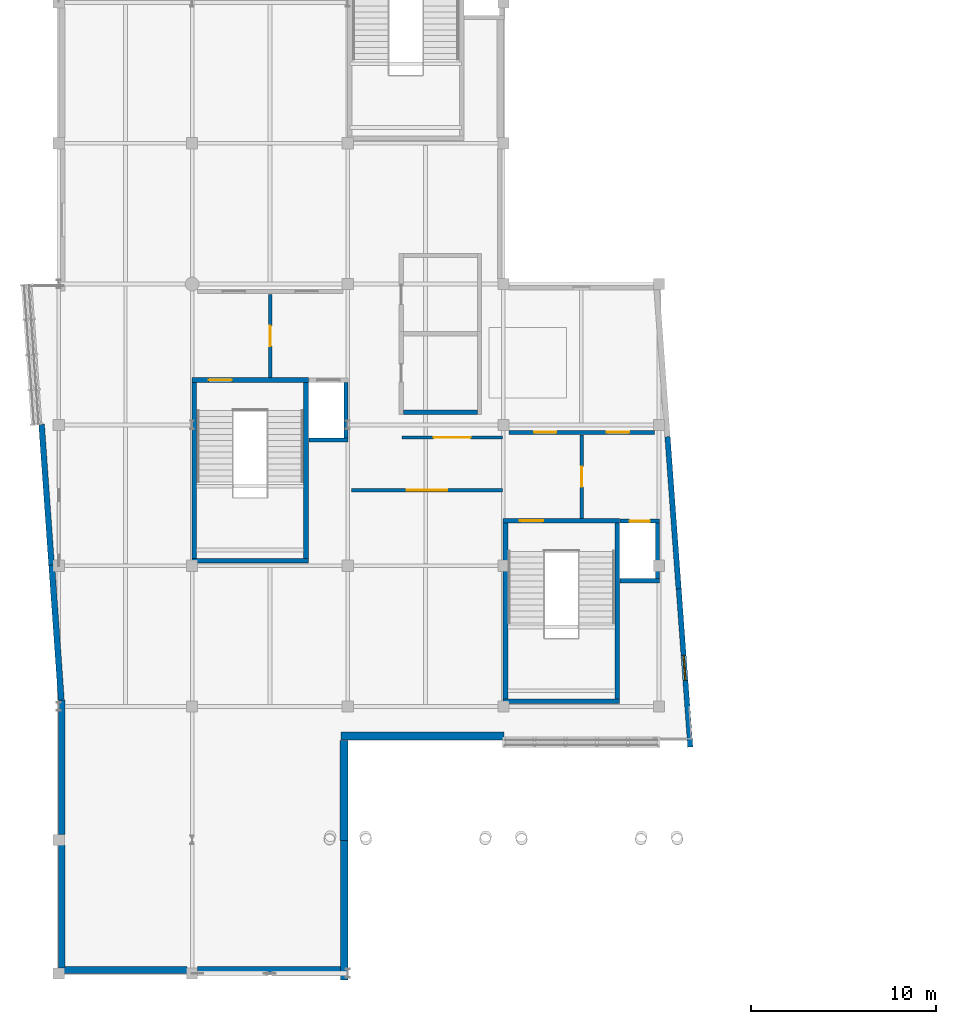
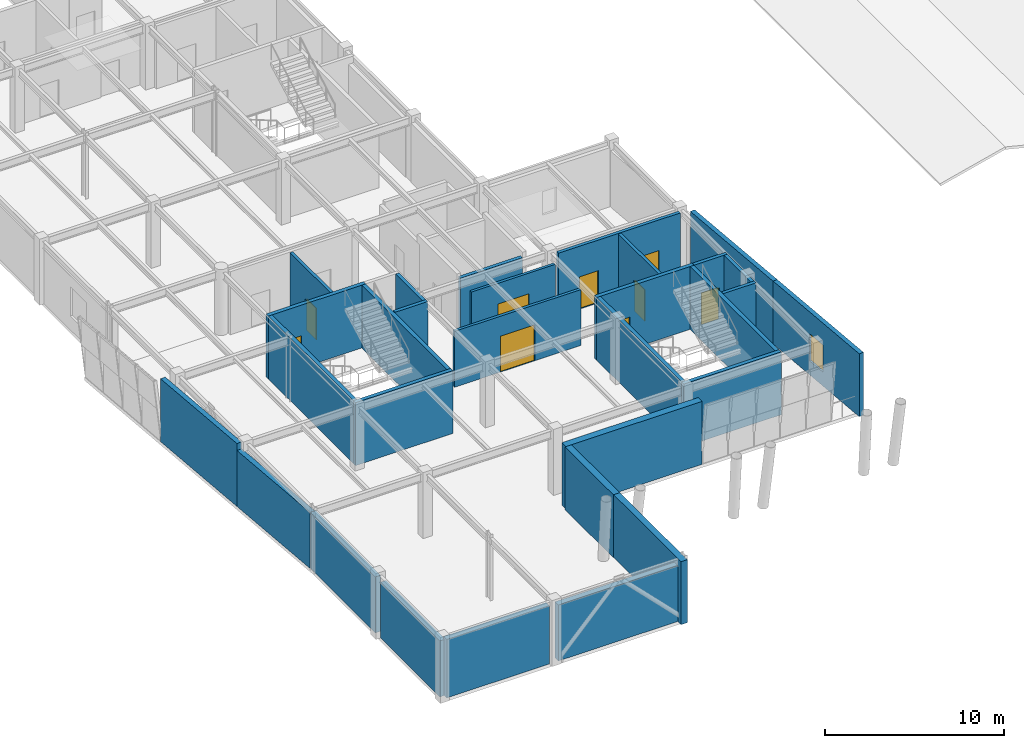
# One storey, part 18 of 28: 30 walls, 9 doors, 1 window, 10 openings.
"""IFC4 building model written with IfcOpenShell, lengths in metres."""

from ifc_helpers import new_model, si_unit, direction, frame, frame_2d, origin, place, context, subcontext, project, spatial, rectangle, extrude, material, layer, layer_set, type_object, element, fill, save


model = new_model("IFC4")

# Units and contexts
model_context = context("Model", 3, precision=1e-05, world=origin(), true_north=direction((0.0, 1.0)))
body_context = subcontext(model_context, "Body", "Model", "MODEL_VIEW")
ifc_project = project(units=[si_unit("LENGTHUNIT", "METRE"), si_unit("AREAUNIT", "SQUARE_METRE"), si_unit("VOLUMEUNIT", "CUBIC_METRE"), si_unit("PLANEANGLEUNIT", "RADIAN"), si_unit("MASSUNIT", "GRAM", prefix="KILO")], contexts=[model_context])

# Site, building, storey
site_placement = place(None, origin())
site = spatial("IfcSite", under=ifc_project, at=site_placement, CompositionType="ELEMENT")
building_placement = place(site_placement, origin())
building = spatial("IfcBuilding", under=site, at=building_placement, Name="Xicomal Pleat Aquarium", CompositionType="ELEMENT")
storey_placement = place(building_placement, frame((0.0, 0.0, 15.300048828125)))
storey = spatial("IfcBuildingStorey", under=building, at=storey_placement, Name="L04", CompositionType="ELEMENT", Elevation=15.300048828125)

# Walls
ifc_material_1 = material(Name="Concrete C40/50", Category="concrete")
ifc_layer_1 = layer(ifc_material_1, 0.219970703125)
ifc_layer_set_1 = layer_set([ifc_layer_1], Name="Concrete C40/50")
wall_type_1 = type_object("IfcWallType", Name="WAL-COR-220", PredefinedType="SHEAR", material=ifc_layer_set_1)
wall_1_placement = place(storey_placement, frame((16.5, 29.590087890625, 0.0), z_axis=(0.0, 0.0, 1.0), x_axis=(1.0, 0.0, 0.0)))
element("IfcWall", 1, at=wall_1_placement, inside=storey, type_object=wall_type_1, Name="L04 LF-01 lift shaft wall CW-L04-C1-LS", PredefinedType="SHEAR", context=body_context, shape_type="SweptSolid", body=[
    extrude(rectangle(XDim=2.1201171875, YDim=0.219970703125, at=frame_2d((1.06005859375, 0.0))), origin(), (0.0, 0.0, 1.0), 4.2900390625),
])
wall_2_placement = place(storey_placement, frame((18.510009765625, 29.699951171875, 0.0), z_axis=(0.0, 0.0, 1.0), x_axis=(0.0, 1.0, 0.0)))
element("IfcWall", 2, at=wall_2_placement, inside=storey, type_object=wall_type_1, Name="L04 LF-01 lift shaft wall CW-L04-C1-LE", PredefinedType="SHEAR", context=body_context, shape_type="SweptSolid", body=[
    extrude(rectangle(XDim=3.0, YDim=0.219970703125, at=frame_2d((1.5, 0.0))), origin(), (0.0, 0.0, 1.0), 4.2900390625),
])
wall_3_placement = place(storey_placement, frame((33.300048828125, 21.989990234375, 0.0), z_axis=(0.0, 0.0, 1.0), x_axis=(1.0, 0.0, 0.0)))
element("IfcWall", 3, at=wall_3_placement, inside=storey, type_object=wall_type_1, Name="L04 LF-02 lift shaft wall CW-L04-C2-LS", PredefinedType="SHEAR", context=body_context, shape_type="SweptSolid", body=[
    extrude(rectangle(XDim=2.119873046875, YDim=0.219970703125, at=frame_2d((1.06005859375, 0.0))), origin(), (0.0, 0.0, 1.0), 4.2900390625),
])

# Wall, opening, door
wall_4_placement = place(storey_placement, frame((33.300048828125, 25.2099609375, 0.0), z_axis=(0.0, 0.0, 1.0), x_axis=(1.0, 0.0, 0.0)))
wall_4 = element("IfcWall", 4, at=wall_4_placement, inside=storey, type_object=wall_type_1, Name="L04 LF-02 lift shaft wall CW-L04-C2-LN", PredefinedType="SHEAR", context=body_context, shape_type="SweptSolid", body=[
    extrude(rectangle(XDim=2.119873046875, YDim=0.219970703125, at=frame_2d((1.06005859375, 0.0))), origin(), (0.0, 0.0, 1.0), 4.2900390625),
])
opening_1_placement = place(wall_4_placement, frame((0.510009765625, 0.0, 0.0)))
opening_1 = element("IfcOpeningElement", 5, at=opening_1_placement, cuts=wall_4, Name="Opening LD-02-L04", PredefinedType="OPENING", context=body_context, shape_type="SweptSolid", body=[
    extrude(rectangle(XDim=1.10009765625, YDim=2.14990234375, at=frame_2d((0.550048828125, 1.074951171875))), frame((0.0, 0.119873046875, 0.0), z_axis=(0.0, -1.0, 0.0), x_axis=(1.0, 0.0, 0.0)), (0.0, 0.0, 1.0), 0.239990234375),
])
ifc_material_2 = material(Name="Brushed stainless steel 304", Category="steel")
door_type_1 = type_object("IfcDoorType", Name="DOR-LD-1100x2150", OperationType="DOUBLE_DOOR_SLIDING", PredefinedType="DOOR", material=ifc_material_2)
door_1_placement = place(opening_1_placement, origin())
door_1 = element("IfcDoor", 6, at=door_1_placement, inside=storey, type_object=door_type_1, Name="L04 LF-02 sliding lift landing door", OperationType="DOUBLE_DOOR_SLIDING", OverallHeight=2.14990234375, OverallWidth=1.10009765625, PredefinedType="DOOR", context=body_context, shape_type="SweptSolid", body=[
    extrude(rectangle(XDim=1.10009765625, YDim=2.14990234375, at=frame_2d((0.550048828125, 1.074951171875))), frame((0.0, 0.02490234375, 0.0), z_axis=(0.0, -1.0, 0.0), x_axis=(1.0, 0.0, 0.0)), (0.0, 0.0, 1.0), 0.050048828125),
])
fill(opening_1, door_1)

# Walls
wall_5_placement = place(storey_placement, frame((35.31005859375, 22.10009765625, 0.0), z_axis=(0.0, 0.0, 1.0), x_axis=(0.0, 1.0, 0.0)))
element("IfcWall", 7, at=wall_5_placement, inside=storey, type_object=wall_type_1, Name="L04 LF-02 lift shaft wall CW-L04-C2-LE", PredefinedType="SHEAR", context=body_context, shape_type="SweptSolid", body=[
    extrude(rectangle(XDim=3.0, YDim=0.219970703125, at=frame_2d((1.5, 0.0))), origin(), (0.0, 0.0, 1.0), 4.2900390625),
])
ifc_material_3 = material(Name="Concrete C40/50", Category="concrete")
ifc_layer_2 = layer(ifc_material_3, 0.25)
ifc_layer_set_2 = layer_set([ifc_layer_2], Name="Concrete C40/50")
wall_type_2 = type_object("IfcWallType", Name="WAL-COR-250", PredefinedType="SHEAR", material=ifc_layer_set_2)
wall_6_placement = place(storey_placement, frame((10.18994140625, 23.074951171875, 0.0), z_axis=(0.0, 0.0, 1.0), x_axis=(1.0, 0.0, 0.0)))
element("IfcWall", 8, at=wall_6_placement, inside=storey, type_object=wall_type_2, Name="L04 CORE-1 stair shear wall CW-L04-C1-SS", PredefinedType="SHEAR", context=body_context, shape_type="SweptSolid", body=[
    extrude(rectangle(XDim=6.280029296875, YDim=0.25, at=frame_2d((3.14013671875, 0.0))), origin(), (0.0, 0.0, 1.0), 4.2900390625),
])

# Wall, opening, door
wall_7_placement = place(storey_placement, frame((10.18994140625, 32.824951171875, 0.0), z_axis=(0.0, 0.0, 1.0), x_axis=(1.0, 0.0, 0.0)))
wall_7 = element("IfcWall", 9, at=wall_7_placement, inside=storey, type_object=wall_type_2, Name="L04 CORE-1 stair shear wall CW-L04-C1-SN", PredefinedType="SHEAR", context=body_context, shape_type="SweptSolid", body=[
    extrude(rectangle(XDim=6.280029296875, YDim=0.25, at=frame_2d((3.14013671875, 0.0))), origin(), (0.0, 0.0, 1.0), 4.2900390625),
])
opening_2_placement = place(wall_7_placement, frame((0.89990234375, 0.0, 0.0)))
opening_2 = element("IfcOpeningElement", 10, at=opening_2_placement, cuts=wall_7, Name="Opening SD-01-L04", PredefinedType="OPENING", context=body_context, shape_type="SweptSolid", body=[
    extrude(rectangle(XDim=1.25, YDim=2.199951171875, at=frame_2d((0.625, 1.10009765625))), frame((0.0, 0.135009765625, 0.0), z_axis=(0.0, -1.0, 0.0), x_axis=(1.0, 0.0, 0.0)), (0.0, 0.0, 1.0), 0.27001953125),
])
ifc_material_4 = material(Name="Powder-coated steel fire door", Category="steel")
door_type_2 = type_object("IfcDoorType", Name="DOR-ST-1250x2200", OperationType="NOTDEFINED", PredefinedType="DOOR", material=ifc_material_4)
door_2_placement = place(opening_2_placement, origin())
door_2 = element("IfcDoor", 11, at=door_2_placement, inside=storey, type_object=door_type_2, Name="L04 ST-01 protected stair door", OperationType="SINGLE_SWING_LEFT", OverallHeight=2.199951171875, OverallWidth=1.25, PredefinedType="DOOR", context=body_context, shape_type="SweptSolid", body=[
    extrude(rectangle(XDim=1.25, YDim=2.199951171875, at=frame_2d((0.625, 1.10009765625))), frame((0.0, 0.02490234375, 0.0), z_axis=(0.0, -1.0, 0.0), x_axis=(1.0, 0.0, 0.0)), (0.0, 0.0, 1.0), 0.050048828125),
])
fill(opening_2, door_2)

# Walls
for number, where, z_axis, x_axis, name in (
    (12, (10.31494140625, 23.199951171875, 0.0), (0.0, 0.0, 1.0), (0.0, 1.0, 0.0), "L04 CORE-1 stair shear wall CW-L04-C1-SW"),
    (13, (16.344970703125, 23.199951171875, 0.0), (0.0, 0.0, 1.0), (0.0, 1.0, 0.0), "L04 CORE-1 stair shear wall CW-L04-C1-SE"),
):
    element("IfcWall", number, at=place(storey_placement, frame(where, z_axis=z_axis, x_axis=x_axis)), inside=storey, type_object=wall_type_2, Name=name, PredefinedType="SHEAR", context=body_context, shape_type="SweptSolid", body=[
        extrude(rectangle(XDim=9.5, YDim=0.25, at=frame_2d((4.75, 0.0))), origin(), (0.0, 0.0, 1.0), 4.2900390625),
    ])
wall_8_placement = place(storey_placement, frame((26.989990234375, 15.47509765625, 0.0), z_axis=(0.0, 0.0, 1.0), x_axis=(1.0, 0.0, 0.0)))
element("IfcWall", 14, at=wall_8_placement, inside=storey, type_object=wall_type_2, Name="L04 CORE-2 stair shear wall CW-L04-C2-SS", PredefinedType="SHEAR", context=body_context, shape_type="SweptSolid", body=[
    extrude(rectangle(XDim=6.280029296875, YDim=0.25, at=frame_2d((3.14013671875, 0.0))), origin(), (0.0, 0.0, 1.0), 4.2900390625),
])

# Wall, opening, door
wall_9_placement = place(storey_placement, frame((26.989990234375, 25.22509765625, 0.0), z_axis=(0.0, 0.0, 1.0), x_axis=(1.0, 0.0, 0.0)))
wall_9 = element("IfcWall", 15, at=wall_9_placement, inside=storey, type_object=wall_type_2, Name="L04 CORE-2 stair shear wall CW-L04-C2-SN", PredefinedType="SHEAR", context=body_context, shape_type="SweptSolid", body=[
    extrude(rectangle(XDim=6.280029296875, YDim=0.25, at=frame_2d((3.14013671875, 0.0))), origin(), (0.0, 0.0, 1.0), 4.2900390625),
])
opening_3_placement = place(wall_9_placement, frame((0.89990234375, 0.0, 0.0)))
opening_3 = element("IfcOpeningElement", 16, at=opening_3_placement, cuts=wall_9, Name="Opening SD-02-L04", PredefinedType="OPENING", context=body_context, shape_type="SweptSolid", body=[
    extrude(rectangle(XDim=1.25, YDim=2.199951171875, at=frame_2d((0.625, 1.10009765625))), frame((0.0, 0.135009765625, 0.0), z_axis=(0.0, -1.0, 0.0), x_axis=(1.0, 0.0, 0.0)), (0.0, 0.0, 1.0), 0.27001953125),
])
door_3_placement = place(opening_3_placement, origin())
door_3 = element("IfcDoor", 17, at=door_3_placement, inside=storey, type_object=door_type_2, Name="L04 ST-02 protected stair door", OperationType="SINGLE_SWING_LEFT", OverallHeight=2.199951171875, OverallWidth=1.25, PredefinedType="DOOR", context=body_context, shape_type="SweptSolid", body=[
    extrude(rectangle(XDim=1.25, YDim=2.199951171875, at=frame_2d((0.625, 1.10009765625))), frame((0.0, 0.02490234375, 0.0), z_axis=(0.0, -1.0, 0.0), x_axis=(1.0, 0.0, 0.0)), (0.0, 0.0, 1.0), 0.050048828125),
])
fill(opening_3, door_3)

# Walls
for number, where, z_axis, x_axis, name in (
    (18, (27.114990234375, 15.60009765625, 0.0), (0.0, 0.0, 1.0), (0.0, 1.0, 0.0), "L04 CORE-2 stair shear wall CW-L04-C2-SW"),
    (19, (33.14501953125, 15.60009765625, 0.0), (0.0, 0.0, 1.0), (0.0, 1.0, 0.0), "L04 CORE-2 stair shear wall CW-L04-C2-SE"),
):
    element("IfcWall", number, at=place(storey_placement, frame(where, z_axis=z_axis, x_axis=x_axis)), inside=storey, type_object=wall_type_2, Name=name, PredefinedType="SHEAR", context=body_context, shape_type="SweptSolid", body=[
        extrude(rectangle(XDim=9.5, YDim=0.25, at=frame_2d((4.75, 0.0))), origin(), (0.0, 0.0, 1.0), 4.2900390625),
    ])
ifc_material_5 = material(Name="Volcanic basalt recinto masonry and concrete C40/50", Category="masonry")
ifc_layer_3 = layer(ifc_material_5, 0.35009765625)
ifc_layer_set_3 = layer_set([ifc_layer_3], Name="Volcanic basalt recinto masonry and concrete C40/50")
wall_type_3 = type_object("IfcWallType", Name="WAL-EXT-BAS-350", PredefinedType="SOLIDWALL", material=ifc_layer_set_3)
wall_10_placement = place(storey_placement, frame((3.175048828125, 1.0849609375, 0.0), z_axis=(0.0, 0.0, 1.0), x_axis=(0.0, 1.0, 0.0)))
element("IfcWall", 20, at=wall_10_placement, inside=storey, type_object=wall_type_3, Name="L04 exterior basalt-precast wall EW-L04-066", PredefinedType="SOLIDWALL", context=body_context, shape_type="SweptSolid", body=[
    extrude(rectangle(XDim=6.630126953125, YDim=0.35009765625, at=frame_2d((3.31494140625, 0.0))), origin(), (0.0, 0.0, 1.0), 3.81591796875),
])
ifc_material_6 = material(Name="Volcanic basalt recinto masonry and concrete C40/50", Category="masonry")
ifc_layer_4 = layer(ifc_material_6, 0.364990234375)
ifc_layer_set_4 = layer_set([ifc_layer_4], Name="Volcanic basalt recinto masonry and concrete C40/50")
wall_type_4 = type_object("IfcWallType", Name="WAL-EXT-BAS-365", PredefinedType="SOLIDWALL", material=ifc_layer_set_4)
wall_11_placement = place(storey_placement, frame((9.9150390625, 0.98291015625, 0.0), z_axis=(0.0, 0.0, 1.0), x_axis=(-1.0, 0.0, 0.0)))
element("IfcWall", 21, at=wall_11_placement, inside=storey, type_object=wall_type_4, Name="L04 exterior basalt-precast wall EW-L04-065", PredefinedType="SOLIDWALL", context=body_context, shape_type="SweptSolid", body=[
    extrude(rectangle(XDim=6.630126953125, YDim=0.364990234375, at=frame_2d((3.31494140625, 0.0))), origin(), (0.0, 0.0, 1.0), 3.98486328125),
])
ifc_material_7 = material(Name="Volcanic basalt recinto masonry and concrete C40/50", Category="masonry")
ifc_layer_5 = layer(ifc_material_7, 0.3798828125)
ifc_layer_set_5 = layer_set([ifc_layer_5], Name="Volcanic basalt recinto masonry and concrete C40/50")
wall_type_5 = type_object("IfcWallType", Name="WAL-EXT-BAS-380", PredefinedType="SOLIDWALL", material=ifc_layer_set_5)
wall_12_placement = place(storey_placement, frame((18.195068359375, 0.989990234375, 0.0), z_axis=(0.0, 0.0, 1.0), x_axis=(-1.0, 0.0, 0.0)))
element("IfcWall", 22, at=wall_12_placement, inside=storey, type_object=wall_type_5, Name="L04 exterior basalt-precast wall EW-L04-064B", PredefinedType="SOLIDWALL", context=body_context, shape_type="SweptSolid", body=[
    extrude(rectangle(XDim=7.7099609375, YDim=0.3798828125, at=frame_2d((3.85498046875, 0.0))), origin(), (0.0, 0.0, 1.0), 3.81591796875),
])
ifc_material_8 = material(Name="Volcanic basalt recinto masonry and concrete C40/50", Category="masonry")
ifc_layer_6 = layer(ifc_material_8, 0.39990234375)
ifc_layer_set_6 = layer_set([ifc_layer_6], Name="Volcanic basalt recinto masonry and concrete C40/50")
wall_type_6 = type_object("IfcWallType", Name="WAL-EXT-BAS-400", PredefinedType="SOLIDWALL", material=ifc_layer_set_6)
wall_13_placement = place(storey_placement, frame((18.39990234375, 7.97998046875, 0.0), z_axis=(0.0, 0.0, 1.0), x_axis=(0.0, -1.0, 0.0)))
element("IfcWall", 23, at=wall_13_placement, inside=storey, type_object=wall_type_6, Name="L04 exterior basalt-precast wall EW-L04-063", PredefinedType="SOLIDWALL", context=body_context, shape_type="SweptSolid", body=[
    extrude(rectangle(XDim=7.5400390625, YDim=0.39990234375, at=frame_2d((3.77001953125, 0.0))), origin(), (0.0, 0.0, 1.0), 4.2900390625),
])
ifc_material_9 = material(Name="Volcanic basalt recinto masonry and concrete C40/50", Category="masonry")
ifc_layer_7 = layer(ifc_material_9, 0.419921875)
ifc_layer_set_7 = layer_set([ifc_layer_7], Name="Volcanic basalt recinto masonry and concrete C40/50")
wall_type_7 = type_object("IfcWallType", Name="WAL-EXT-BAS-420", PredefinedType="SOLIDWALL", material=ifc_layer_set_7)
wall_14_placement = place(storey_placement, frame((18.389892578125, 13.3759765625, 0.0), z_axis=(0.0, 0.0, 1.0), x_axis=(0.0, -1.0, 0.0)))
element("IfcWall", 24, at=wall_14_placement, inside=storey, type_object=wall_type_7, Name="L04 exterior basalt-precast wall EW-L04-062", PredefinedType="SOLIDWALL", context=body_context, shape_type="SweptSolid", body=[
    extrude(rectangle(XDim=5.39599609375, YDim=0.419921875, at=frame_2d((2.697998046875, 0.0))), origin(), (0.0, 0.0, 1.0), 4.2900390625),
])
ifc_material_10 = material(Name="Volcanic basalt recinto masonry and concrete C40/50", Category="masonry")
ifc_layer_8 = layer(ifc_material_10, 0.445068359375)
ifc_layer_set_8 = layer_set([ifc_layer_8], Name="Volcanic basalt recinto masonry and concrete C40/50")
wall_type_8 = type_object("IfcWallType", Name="WAL-EXT-BAS-445", PredefinedType="SOLIDWALL", material=ifc_layer_set_8)
wall_15_placement = place(storey_placement, frame((27.02001953125, 13.60302734375, 0.0), z_axis=(0.0, 0.0, 1.0), x_axis=(-1.0, 0.0, 0.0)))
element("IfcWall", 25, at=wall_15_placement, inside=storey, type_object=wall_type_8, Name="L04 exterior basalt-precast wall EW-L04-061", PredefinedType="SOLIDWALL", context=body_context, shape_type="SweptSolid", body=[
    extrude(rectangle(XDim=8.780029296875, YDim=0.445068359375, at=frame_2d((4.39013671875, 0.0))), origin(), (0.0, 0.0, 1.0), 4.2900390625),
])

# Wall, opening, window
ifc_material_11 = material(Name="Precast concrete C40/50", Category="concrete")
ifc_layer_9 = layer(ifc_material_11, 0.280029296875)
ifc_layer_set_9 = layer_set([ifc_layer_9], Name="Precast concrete C40/50")
wall_type_9 = type_object("IfcWallType", Name="WAL-EXT-PRC-280", PredefinedType="SOLIDWALL", material=ifc_layer_set_9)
wall_16_placement = place(storey_placement, frame((36.4619140625, 21.555908203125, 0.0), z_axis=(0.0, 0.0, 1.0), x_axis=(0.072947986033, -0.997335746544, 0.0)))
wall_16 = element("IfcWall", 26, at=wall_16_placement, inside=storey, type_object=wall_type_9, Name="L04 exterior basalt-precast wall EW-L04-059", PredefinedType="SOLIDWALL", context=body_context, shape_type="SweptSolid", body=[
    extrude(rectangle(XDim=8.567626953125, YDim=0.280029296875, at=frame_2d((4.28369140625, 0.0))), origin(), (0.0, 0.0, 1.0), 4.2900390625),
])
opening_4_placement = place(wall_16_placement, frame((3.60888671875, 0.0, 0.949951171875)))
opening_4 = element("IfcOpeningElement", 27, at=opening_4_placement, cuts=wall_16, Name="Opening WN-09", PredefinedType="OPENING", context=body_context, shape_type="SweptSolid", body=[
    extrude(rectangle(XDim=1.35009765625, YDim=1.85009765625, at=frame_2d((0.675048828125, 0.925048828125))), frame((0.0, 0.14990234375, 0.0), z_axis=(0.0, -1.0, 0.0), x_axis=(1.0, 0.0, 0.0)), (0.0, 0.0, 1.0), 0.300048828125),
])
ifc_material_12 = material(Name="Insulated low-E laminated glass", Category="glass")
window_type = type_object("IfcWindowType", Name="WIN-EXT-1350x1850", PartitioningType="SINGLE_PANEL", PredefinedType="WINDOW", material=ifc_material_12)
window_placement = place(opening_4_placement, origin())
window = element("IfcWindow", 28, at=window_placement, inside=storey, type_object=window_type, Name="L04 thermally broken low-E window 81", OverallHeight=1.85009765625, OverallWidth=1.35009765625, PartitioningType="SINGLE_PANEL", PredefinedType="WINDOW", context=body_context, shape_type="SweptSolid", body=[
    extrude(rectangle(XDim=1.35009765625, YDim=1.85009765625, at=frame_2d((0.675048828125, 0.925048828125))), frame((0.0, 0.030029296875, 0.0), z_axis=(0.0, -1.0, 0.0), x_axis=(1.0, 0.0, 0.0)), (0.0, 0.0, 1.0), 0.06005859375),
])
fill(opening_4, window)

# Walls
ifc_material_13 = material(Name="Precast concrete C40/50", Category="concrete")
ifc_layer_10 = layer(ifc_material_13, 0.2900390625)
ifc_layer_set_10 = layer_set([ifc_layer_10], Name="Precast concrete C40/50")
wall_type_10 = type_object("IfcWallType", Name="WAL-EXT-PRC-290", PredefinedType="SOLIDWALL", material=ifc_layer_set_10)
wall_17_placement = place(storey_placement, frame((35.85693359375, 29.761962890625, 0.0), z_axis=(0.0, 0.0, 1.0), x_axis=(0.072933886696, -0.997336777709, 0.0)))
element("IfcWall", 29, at=wall_17_placement, inside=storey, type_object=wall_type_10, Name="L04 exterior basalt-precast wall EW-L04-058", PredefinedType="SOLIDWALL", context=body_context, shape_type="SweptSolid", body=[
    extrude(rectangle(XDim=8.22802734375, YDim=0.2900390625, at=frame_2d((4.114013671875, 0.0))), origin(), (0.0, 0.0, 1.0), 4.2900390625),
])
ifc_material_14 = material(Name="Precast concrete C40/50", Category="concrete")
ifc_layer_11 = layer(ifc_material_14, 0.31201171875)
ifc_layer_set_11 = layer_set([ifc_layer_11], Name="Precast concrete C40/50")
wall_type_11 = type_object("IfcWallType", Name="WAL-EXT-PRC-312", PredefinedType="SOLIDWALL", material=ifc_layer_set_11)
wall_18_placement = place(storey_placement, frame((2.614013671875, 22.8310546875, 0.0), z_axis=(0.0, 0.0, 1.0), x_axis=(-0.070880414489, 0.997484820357, 0.0)))
element("IfcWall", 30, at=wall_18_placement, inside=storey, type_object=wall_type_11, Name="L04 exterior basalt-precast wall EW-L04-069", PredefinedType="SOLIDWALL", context=body_context, shape_type="SweptSolid", body=[
    extrude(rectangle(XDim=7.618896484375, YDim=0.31201171875, at=frame_2d((3.8095703125, 0.0))), origin(), (0.0, 0.0, 1.0), 4.2900390625),
])
ifc_material_15 = material(Name="Precast concrete C40/50", Category="concrete")
ifc_layer_12 = layer(ifc_material_15, 0.324951171875)
ifc_layer_set_12 = layer_set([ifc_layer_12], Name="Precast concrete C40/50")
wall_type_12 = type_object("IfcWallType", Name="WAL-EXT-PRC-325", PredefinedType="SOLIDWALL", material=ifc_layer_set_12)
wall_19_placement = place(storey_placement, frame((3.137939453125, 15.56005859375, 0.0), z_axis=(0.0, 0.0, 1.0), x_axis=(-0.070904296938, 0.997483123003, 0.0)))
element("IfcWall", 31, at=wall_19_placement, inside=storey, type_object=wall_type_12, Name="L04 exterior basalt-precast wall EW-L04-068", PredefinedType="SOLIDWALL", context=body_context, shape_type="SweptSolid", body=[
    extrude(rectangle(XDim=7.289306640625, YDim=0.324951171875, at=frame_2d((3.64453125, 0.0))), origin(), (0.0, 0.0, 1.0), 3.81591796875),
])
ifc_material_16 = material(Name="Precast concrete C40/50", Category="concrete")
ifc_layer_13 = layer(ifc_material_16, 0.340087890625)
ifc_layer_set_13 = layer_set([ifc_layer_13], Name="Precast concrete C40/50")
wall_type_13 = type_object("IfcWallType", Name="WAL-EXT-PRC-340", PredefinedType="SOLIDWALL", material=ifc_layer_set_13)
wall_20_placement = place(storey_placement, frame((3.169921875, 8.284912109375, 0.0), z_axis=(0.0, 0.0, 1.0), x_axis=(0.0, 1.0, 0.0)))
element("IfcWall", 32, at=wall_20_placement, inside=storey, type_object=wall_type_13, Name="L04 exterior basalt-precast wall EW-L04-067", PredefinedType="SOLIDWALL", context=body_context, shape_type="SweptSolid", body=[
    extrude(rectangle(XDim=7.275146484375, YDim=0.340087890625, at=frame_2d((3.6376953125, 0.0))), origin(), (0.0, 0.0, 1.0), 3.81591796875),
])
ifc_material_17 = material(Name="Water-resistant cement-board wet-lab partition", Category="gypsum")
ifc_layer_14 = layer(ifc_material_17, 0.22998046875)
ifc_layer_set_14 = layer_set([ifc_layer_14], Name="Water-resistant cement-board wet-lab partition")
wall_type_14 = type_object("IfcWallType", Name="WAL-PLB-230", PredefinedType="PLUMBINGWALL", material=ifc_layer_set_14)
wall_21_placement = place(storey_placement, frame((21.60009765625, 31.0849609375, 0.0), z_axis=(0.0, 0.0, 1.0), x_axis=(1.0, 0.0, 0.0)))
element("IfcWall", 33, at=wall_21_placement, inside=storey, type_object=wall_type_14, Name="L04 enclosed toilet partition PT-L04-062", PredefinedType="PLUMBINGWALL", context=body_context, shape_type="SweptSolid", body=[
    extrude(rectangle(XDim=4.0, YDim=0.22998046875, at=frame_2d((2.0, 0.0))), origin(), (0.0, 0.0, 1.0), 3.930908203125),
])

# Wall, opening, door
ifc_material_18 = material(Name="Water-resistant cement-board wet-lab partition", Category="gypsum")
ifc_layer_15 = layer(ifc_material_18, 0.172119140625)
ifc_layer_set_15 = layer_set([ifc_layer_15], Name="Water-resistant cement-board wet-lab partition")
wall_type_15 = type_object("IfcWallType", Name="WAL-PRT-172", PredefinedType="PARTITIONING", material=ifc_layer_set_15)
wall_22_placement = place(storey_placement, frame((26.93994140625, 29.719970703125, 0.0), z_axis=(0.0, 0.0, 1.0), x_axis=(-1.0, 0.0, 0.0)))
wall_22 = element("IfcWall", 34, at=wall_22_placement, inside=storey, type_object=wall_type_15, Name="L04 interior partition PT-L04-072", PredefinedType="PARTITIONING", context=body_context, shape_type="SweptSolid", body=[
    extrude(rectangle(XDim=5.419921875, YDim=0.172119140625, at=frame_2d((2.7099609375, 0.0))), origin(), (0.0, 0.0, 1.0), 3.81591796875),
])
opening_5_placement = place(wall_22_placement, frame((1.7099609375, 0.0, 0.0)))
opening_5 = element("IfcOpeningElement", 35, at=opening_5_placement, cuts=wall_22, Name="Opening DR-L04-038", PredefinedType="OPENING", context=body_context, shape_type="SweptSolid", body=[
    extrude(rectangle(XDim=2.0, YDim=2.39990234375, at=frame_2d((1.0, 1.199951171875))), frame((0.0, 0.095947265625, 0.0), z_axis=(0.0, -1.0, 0.0), x_axis=(1.0, 0.0, 0.0)), (0.0, 0.0, 1.0), 0.192138671875),
])
ifc_material_19 = material(Name="Powder-coated steel fire door", Category="steel")
door_type_3 = type_object("IfcDoorType", Name="DOR-LSS-2000x2400", OperationType="DOUBLE_DOOR_SINGLE_SWING", PredefinedType="DOOR", material=ifc_material_19)
door_4_placement = place(opening_5_placement, origin())
door_4 = element("IfcDoor", 36, at=door_4_placement, inside=storey, type_object=door_type_3, Name="L04 Aquatic Cryopreservation Laboratory door DR-L04-038", OperationType="DOUBLE_DOOR_SINGLE_SWING", OverallHeight=2.39990234375, OverallWidth=2.0, PredefinedType="DOOR", context=body_context, shape_type="SweptSolid", body=[
    extrude(rectangle(XDim=2.0, YDim=2.39990234375, at=frame_2d((1.0, 1.199951171875))), frame((0.0, 0.02490234375, 0.0), z_axis=(0.0, -1.0, 0.0), x_axis=(1.0, 0.0, 0.0)), (0.0, 0.0, 1.0), 0.050048828125),
])
fill(opening_5, door_4)

ifc_material_20 = material(Name="Acoustic double-stud drywall partition", Category="gypsum")
ifc_layer_16 = layer(ifc_material_20, 0.179931640625)
ifc_layer_set_16 = layer_set([ifc_layer_16], Name="Acoustic double-stud drywall partition")
wall_type_16 = type_object("IfcWallType", Name="WAL-PRT-180", PredefinedType="PARTITIONING", material=ifc_layer_set_16)
wall_23_placement = place(storey_placement, frame((18.800048828125, 26.8798828125, 0.0), z_axis=(0.0, 0.0, 1.0), x_axis=(1.0, 0.0, 0.0)))
wall_23 = element("IfcWall", 37, at=wall_23_placement, inside=storey, type_object=wall_type_16, Name="L04 interior partition PT-L04-071", PredefinedType="PARTITIONING", context=body_context, shape_type="SweptSolid", body=[
    extrude(rectangle(XDim=8.139892578125, YDim=0.179931640625, at=frame_2d((4.06982421875, 0.0))), origin(), (0.0, 0.0, 1.0), 3.81591796875),
])
opening_6_placement = place(wall_23_placement, frame((2.969970703125, 0.0, 0.0)))
opening_6 = element("IfcOpeningElement", 38, at=opening_6_placement, cuts=wall_23, Name="Opening DR-L04-037", PredefinedType="OPENING", context=body_context, shape_type="SweptSolid", body=[
    extrude(rectangle(XDim=2.199951171875, YDim=2.449951171875, at=frame_2d((1.10009765625, 1.22509765625))), frame((0.0, 0.099853515625, 0.0), z_axis=(0.0, -1.0, 0.0), x_axis=(1.0, 0.0, 0.0)), (0.0, 0.0, 1.0), 0.199951171875),
])
ifc_material_21 = material(Name="Solid-core hardwood and anodized aluminium frame", Category="wood")
door_type_4 = type_object("IfcDoorType", Name="DOR-GAL-2200x2450", OperationType="DOUBLE_DOOR_SINGLE_SWING", PredefinedType="DOOR", material=ifc_material_21)
door_5_placement = place(opening_6_placement, origin())
door_5 = element("IfcDoor", 39, at=door_5_placement, inside=storey, type_object=door_type_4, Name="L04 Marine Genomics Research Laboratory door DR-L04-037", OperationType="DOUBLE_DOOR_SINGLE_SWING", OverallHeight=2.449951171875, OverallWidth=2.199951171875, PredefinedType="DOOR", context=body_context, shape_type="SweptSolid", body=[
    extrude(rectangle(XDim=2.199951171875, YDim=2.449951171875, at=frame_2d((1.10009765625, 1.22509765625))), frame((0.0, 0.02490234375, 0.0), z_axis=(0.0, -1.0, 0.0), x_axis=(1.0, 0.0, 0.0)), (0.0, 0.0, 1.0), 0.050048828125),
])
fill(opening_6, door_5)

ifc_material_22 = material(Name="Acoustic double-stud drywall partition", Category="gypsum")
ifc_layer_17 = layer(ifc_material_22, 0.195068359375)
ifc_layer_set_17 = layer_set([ifc_layer_17], Name="Acoustic double-stud drywall partition")
wall_type_17 = type_object("IfcWallType", Name="WAL-PRT-195", PredefinedType="PARTITIONING", material=ifc_layer_set_17)
wall_24_placement = place(storey_placement, frame((14.425048828125, 32.949951171875, 0.0), z_axis=(0.0, 0.0, 1.0), x_axis=(0.0, 1.0, 0.0)))
wall_24 = element("IfcWall", 40, at=wall_24_placement, inside=storey, type_object=wall_type_17, Name="L04 firefighting lobby smoke divider 1", PredefinedType="PARTITIONING", context=body_context, shape_type="SweptSolid", body=[
    extrude(rectangle(XDim=4.5, YDim=0.195068359375, at=frame_2d((2.25, 0.0))), origin(), (0.0, 0.0, 1.0), 4.2900390625),
])
opening_7_placement = place(wall_24_placement, frame((1.699951171875, 0.0, 0.0)))
opening_7 = element("IfcOpeningElement", 41, at=opening_7_placement, cuts=wall_24, Name="Opening FD-01C-L04", PredefinedType="OPENING", context=body_context, shape_type="SweptSolid", body=[
    extrude(rectangle(XDim=1.10009765625, YDim=2.14990234375, at=frame_2d((0.550048828125, 1.074951171875))), frame((0.0, 0.107421875, 0.0), z_axis=(0.0, -1.0, 0.0), x_axis=(1.0, 0.0, 0.0)), (0.0, 0.0, 1.0), 0.215087890625),
])
ifc_material_23 = material(Name="Powder-coated steel fire door", Category="steel")
door_type_5 = type_object("IfcDoorType", Name="DOR-LAB-1100x2150", OperationType="NOTDEFINED", PredefinedType="DOOR", material=ifc_material_23)
door_6_placement = place(opening_7_placement, origin())
door_6 = element("IfcDoor", 42, at=door_6_placement, inside=storey, type_object=door_type_5, Name="L04 lobby interconnecting fire door 1C", OperationType="SINGLE_SWING_LEFT", OverallHeight=2.14990234375, OverallWidth=1.10009765625, PredefinedType="DOOR", context=body_context, shape_type="SweptSolid", body=[
    extrude(rectangle(XDim=1.10009765625, YDim=2.14990234375, at=frame_2d((0.550048828125, 1.074951171875))), frame((0.0, 0.02490234375, 0.0), z_axis=(0.0, -1.0, 0.0), x_axis=(1.0, 0.0, 0.0)), (0.0, 0.0, 1.0), 0.050048828125),
])
fill(opening_7, door_6)

wall_25_placement = place(storey_placement, frame((31.22509765625, 25.35009765625, 0.0), z_axis=(0.0, 0.0, 1.0), x_axis=(0.0, 1.0, 0.0)))
wall_25 = element("IfcWall", 43, at=wall_25_placement, inside=storey, type_object=wall_type_17, Name="L04 firefighting lobby smoke divider 2", PredefinedType="PARTITIONING", context=body_context, shape_type="SweptSolid", body=[
    extrude(rectangle(XDim=4.5, YDim=0.195068359375, at=frame_2d((2.25, 0.0))), origin(), (0.0, 0.0, 1.0), 4.2900390625),
])
opening_8_placement = place(wall_25_placement, frame((1.699951171875, 0.0, 0.0)))
opening_8 = element("IfcOpeningElement", 44, at=opening_8_placement, cuts=wall_25, Name="Opening FD-02C-L04", PredefinedType="OPENING", context=body_context, shape_type="SweptSolid", body=[
    extrude(rectangle(XDim=1.10009765625, YDim=2.14990234375, at=frame_2d((0.550048828125, 1.074951171875))), frame((0.0, 0.107421875, 0.0), z_axis=(0.0, -1.0, 0.0), x_axis=(1.0, 0.0, 0.0)), (0.0, 0.0, 1.0), 0.215087890625),
])
door_7_placement = place(opening_8_placement, origin())
door_7 = element("IfcDoor", 45, at=door_7_placement, inside=storey, type_object=door_type_5, Name="L04 lobby interconnecting fire door 2C", OperationType="SINGLE_SWING_LEFT", OverallHeight=2.14990234375, OverallWidth=1.10009765625, PredefinedType="DOOR", context=body_context, shape_type="SweptSolid", body=[
    extrude(rectangle(XDim=1.10009765625, YDim=2.14990234375, at=frame_2d((0.550048828125, 1.074951171875))), frame((0.0, 0.02490234375, 0.0), z_axis=(0.0, -1.0, 0.0), x_axis=(1.0, 0.0, 0.0)), (0.0, 0.0, 1.0), 0.050048828125),
])
fill(opening_8, door_7)

# Wall, openings, doors
ifc_material_24 = material(Name="Fire-rated gypsum and mineral-wool partition", Category="gypsum")
ifc_layer_18 = layer(ifc_material_24, 0.2099609375)
ifc_layer_set_18 = layer_set([ifc_layer_18], Name="Fire-rated gypsum and mineral-wool partition")
wall_type_18 = type_object("IfcWallType", Name="WAL-PRT-210", PredefinedType="PARTITIONING", material=ifc_layer_set_18)
wall_26_placement = place(storey_placement, frame((27.300048828125, 30.0, 0.0), z_axis=(0.0, 0.0, 1.0), x_axis=(1.0, 0.0, 0.0)))
wall_26 = element("IfcWall", 46, at=wall_26_placement, inside=storey, type_object=wall_type_18, Name="L04 CORE-2 lobby fire enclosure wall", PredefinedType="PARTITIONING", context=body_context, shape_type="SweptSolid", body=[
    extrude(rectangle(XDim=7.849853515625, YDim=0.2099609375, at=frame_2d((3.9248046875, 0.0))), origin(), (0.0, 0.0, 1.0), 4.2900390625),
])
opening_9_placement = place(wall_26_placement, frame((1.362060546875, 0.0, 0.0)))
opening_9 = element("IfcOpeningElement", 47, at=opening_9_placement, cuts=wall_26, Name="Opening FD-02A-L04", PredefinedType="OPENING", context=body_context, shape_type="SweptSolid", body=[
    extrude(rectangle(XDim=1.199951171875, YDim=2.199951171875, at=frame_2d((0.60009765625, 1.10009765625))), frame((0.0, 0.114990234375, 0.0), z_axis=(0.0, -1.0, 0.0), x_axis=(1.0, 0.0, 0.0)), (0.0, 0.0, 1.0), 0.22998046875),
])
opening_10_placement = place(wall_26_placement, frame((5.287109375, 0.0, 0.0)))
opening_10 = element("IfcOpeningElement", 48, at=opening_10_placement, cuts=wall_26, Name="Opening FD-02B-L04", PredefinedType="OPENING", context=body_context, shape_type="SweptSolid", body=[
    extrude(rectangle(XDim=1.199951171875, YDim=2.199951171875, at=frame_2d((0.60009765625, 1.10009765625))), frame((0.0, 0.114990234375, 0.0), z_axis=(0.0, -1.0, 0.0), x_axis=(1.0, 0.0, 0.0)), (0.0, 0.0, 1.0), 0.22998046875),
])
ifc_material_25 = material(Name="Powder-coated steel fire door", Category="steel")
door_type_6 = type_object("IfcDoorType", Name="DOR-FFL-1200x2200", OperationType="NOTDEFINED", PredefinedType="DOOR", material=ifc_material_25)
door_8_placement = place(opening_9_placement, origin())
door_8 = element("IfcDoor", 49, at=door_8_placement, inside=storey, type_object=door_type_6, Name="L04 firefighting lobby door 2A", OperationType="SINGLE_SWING_LEFT", OverallHeight=2.199951171875, OverallWidth=1.199951171875, PredefinedType="DOOR", context=body_context, shape_type="SweptSolid", body=[
    extrude(rectangle(XDim=1.199951171875, YDim=2.199951171875, at=frame_2d((0.60009765625, 1.10009765625))), frame((0.0, 0.02490234375, 0.0), z_axis=(0.0, -1.0, 0.0), x_axis=(1.0, 0.0, 0.0)), (0.0, 0.0, 1.0), 0.050048828125),
])
fill(opening_9, door_8)
door_9_placement = place(opening_10_placement, origin())
door_9 = element("IfcDoor", 50, at=door_9_placement, inside=storey, type_object=door_type_6, Name="L04 lift lobby door 2B", OperationType="SINGLE_SWING_RIGHT", OverallHeight=2.199951171875, OverallWidth=1.199951171875, PredefinedType="DOOR", context=body_context, shape_type="SweptSolid", body=[
    extrude(rectangle(XDim=1.199951171875, YDim=2.199951171875, at=frame_2d((0.60009765625, 1.10009765625))), frame((0.0, 0.02490234375, 0.0), z_axis=(0.0, -1.0, 0.0), x_axis=(1.0, 0.0, 0.0)), (0.0, 0.0, 1.0), 0.050048828125),
])
fill(opening_10, door_9)

save(model, "model.ifc")
